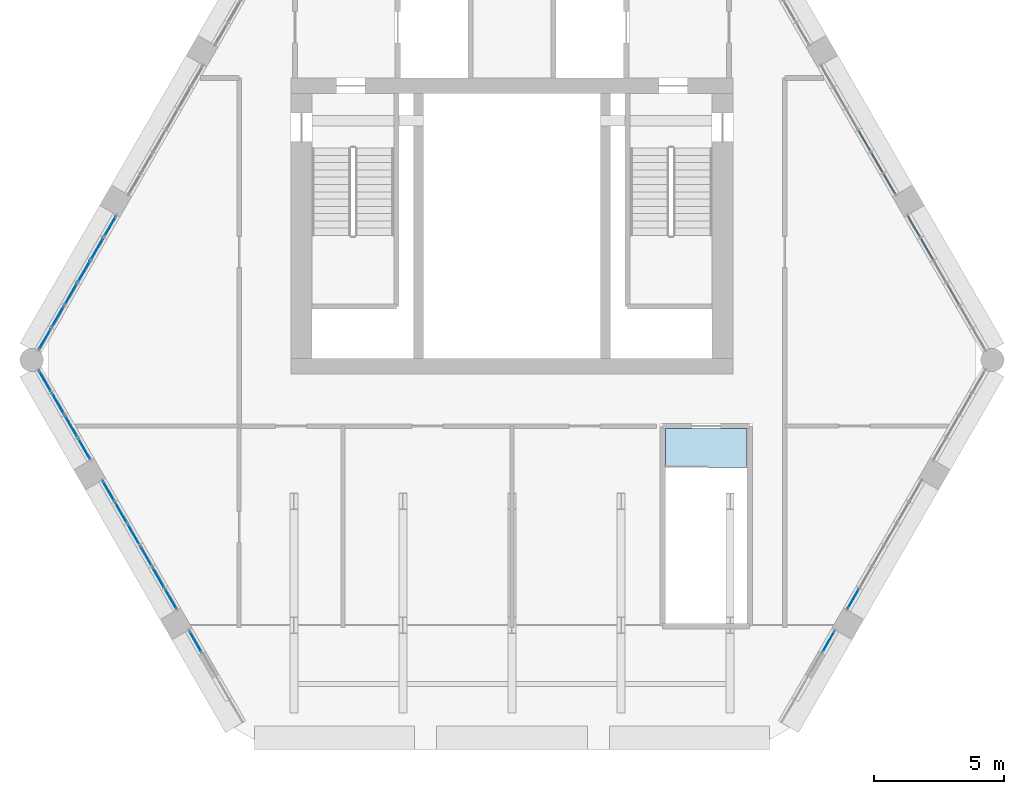
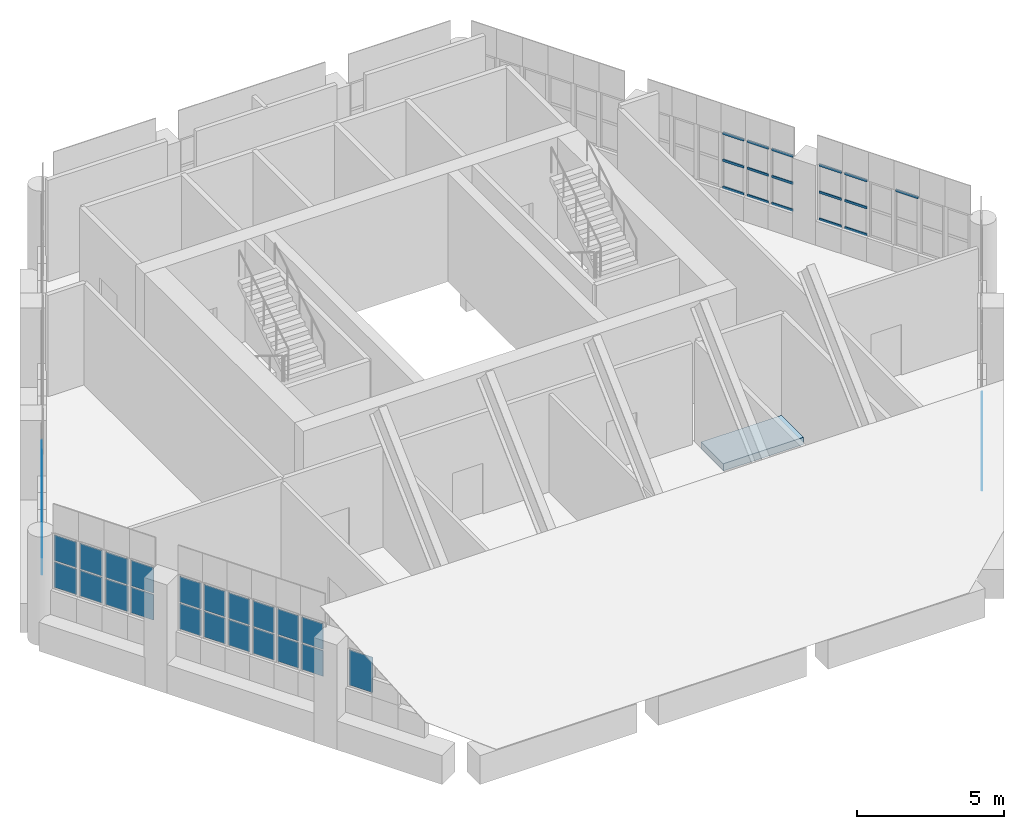
# One storey, part 17 of 25: 35 plates, 16 members, 1 slab, 25 elements without a shape of their own.
"""IFC4 building model written with IfcOpenShell, lengths in metres."""

from ifc_helpers import new_model, si_unit, direction, frame, origin, origin_2d, place, context, subcontext, project, spatial, polyline, rectangle, hollow_rectangle, outline, extrude, material, layer, layer_set, material_profile, profile_set, type_object, element, aggregate, save


model = new_model("IFC4")

# Units and contexts
model_context = context("Model", 3, precision=1e-05, world=origin(), true_north=direction((0.0, 1.0)))
body_context = subcontext(model_context, "Body", "Model", "MODEL_VIEW")
ifc_project = project(units=[si_unit("LENGTHUNIT", "METRE"), si_unit("AREAUNIT", "SQUARE_METRE"), si_unit("VOLUMEUNIT", "CUBIC_METRE"), si_unit("PLANEANGLEUNIT", "RADIAN"), si_unit("MASSUNIT", "GRAM", prefix="KILO")], contexts=[model_context])

# Site, building, storey
site_placement = place(None, origin())
site = spatial("IfcSite", under=ifc_project, at=site_placement, CompositionType="ELEMENT")
building_placement = place(site_placement, origin())
building = spatial("IfcBuilding", under=site, at=building_placement, Name="Ostrander Bayou Hotel Tower", CompositionType="ELEMENT")
storey_placement = place(building_placement, frame((0.0, 0.0, 275.0)))
storey = spatial("IfcBuildingStorey", under=building, at=storey_placement, Name="L68", CompositionType="ELEMENT", Elevation=275.0)

# Curtain wall, member
ifc_material_1 = material(Name="Aluminium and clear glass", Category="aluminium")
curtain_wall_type = type_object("IfcCurtainWallType", Name="CW-CROWN glazed wall", PredefinedType="NOTDEFINED", material=ifc_material_1)
curtain_wall_1_placement = place(storey_placement, origin())
curtain_wall_1 = element("IfcCurtainWall", 1, at=curtain_wall_1_placement, inside=storey, type_object=curtain_wall_type, Name="CW-CROWN L68:NE-1-3", PredefinedType="NOTDEFINED")
ifc_material_2 = material(Name="Aluminium", Category="aluminium")
ifc_material_profile = material_profile(ifc_material_2, hollow_rectangle(XDim=0.050048828125, YDim=0.10009765625, WallThickness=0.00390625, at=origin_2d()))
ifc_profile_set = profile_set([ifc_material_profile], Name="Aluminium")
member_type = type_object("IfcMemberType", Name="CW-CR transom 50 x 100 mm", PredefinedType="USERDEFINED", material=ifc_profile_set)
member_1_placement = place(storey_placement, frame((17.197021484375, 1.0009765625, 3.27001953125), z_axis=(-0.499945861543, 0.866056658381, 0.0), x_axis=(-0.866056658381, -0.499945861543, 0.0)))
member_1 = element("IfcMember", 2, at=member_1_placement, type_object=member_type, Name="CW-CROWN transom 1.3", ObjectType="TRANSOM", PredefinedType="USERDEFINED", context=body_context, shape_type="SweptSolid", body=[
    extrude(hollow_rectangle(XDim=0.050048828125, YDim=0.10009765625, WallThickness=0.00390625, at=origin_2d()), origin(), (0.0, 0.0, 1.0), 0.8828125),
])
aggregate(curtain_wall_1, [member_1])

# Curtain wall, members
curtain_wall_2_placement = place(storey_placement, origin())
curtain_wall_2 = element("IfcCurtainWall", 3, at=curtain_wall_2_placement, inside=storey, type_object=curtain_wall_type, Name="CW-CROWN L68:NE-1-5", PredefinedType="NOTDEFINED")
member_2_placement = place(storey_placement, frame((16.194091796875, 2.73828125, 1.030029296875), z_axis=(-0.500153222552, 0.865936922628, 0.0), x_axis=(-0.865936922628, -0.500153222552, 0.0)))
member_2 = element("IfcMember", 4, at=member_2_placement, type_object=member_type, Name="CW-CROWN transom 1.1", ObjectType="TRANSOM", PredefinedType="USERDEFINED", context=body_context, shape_type="SweptSolid", body=[
    extrude(hollow_rectangle(XDim=0.050048828125, YDim=0.10009765625, WallThickness=0.00390625, at=origin_2d()), origin(), (0.0, 0.0, 1.0), 0.883056640625),
])
member_3_placement = place(storey_placement, frame((16.194091796875, 2.73828125, 2.14990234375), z_axis=(-0.500153222552, 0.865936922628, 0.0), x_axis=(-0.865936922628, -0.500153222552, 0.0)))
member_3 = element("IfcMember", 5, at=member_3_placement, type_object=member_type, Name="CW-CROWN transom 1.2", ObjectType="TRANSOM", PredefinedType="USERDEFINED", context=body_context, shape_type="SweptSolid", body=[
    extrude(hollow_rectangle(XDim=0.050048828125, YDim=0.10009765625, WallThickness=0.00390625, at=origin_2d()), origin(), (0.0, 0.0, 1.0), 0.883056640625),
])
member_4_placement = place(storey_placement, frame((16.194091796875, 2.73828125, 3.27001953125), z_axis=(-0.500153222552, 0.865936922628, 0.0), x_axis=(-0.865936922628, -0.500153222552, 0.0)))
member_4 = element("IfcMember", 6, at=member_4_placement, type_object=member_type, Name="CW-CROWN transom 1.3", ObjectType="TRANSOM", PredefinedType="USERDEFINED", context=body_context, shape_type="SweptSolid", body=[
    extrude(hollow_rectangle(XDim=0.050048828125, YDim=0.10009765625, WallThickness=0.00390625, at=origin_2d()), origin(), (0.0, 0.0, 1.0), 0.883056640625),
])
aggregate(curtain_wall_2, [member_2, member_3, member_4])

curtain_wall_3_placement = place(storey_placement, origin())
curtain_wall_3 = element("IfcCurtainWall", 7, at=curtain_wall_3_placement, inside=storey, type_object=curtain_wall_type, Name="CW-CROWN L68:NE-1-6", PredefinedType="NOTDEFINED")
member_5_placement = place(storey_placement, frame((15.6923828125, 3.60693359375, 1.030029296875), z_axis=(-0.499826157957, 0.866125748273, 0.0), x_axis=(-0.866125748273, -0.499826157957, 0.0)))
member_5 = element("IfcMember", 8, at=member_5_placement, type_object=member_type, Name="CW-CROWN transom 1.1", ObjectType="TRANSOM", PredefinedType="USERDEFINED", context=body_context, shape_type="SweptSolid", body=[
    extrude(hollow_rectangle(XDim=0.050048828125, YDim=0.10009765625, WallThickness=0.00390625, at=origin_2d()), origin(), (0.0, 0.0, 1.0), 0.883056640625),
])
member_6_placement = place(storey_placement, frame((15.6923828125, 3.60693359375, 2.14990234375), z_axis=(-0.499826157957, 0.866125748273, 0.0), x_axis=(-0.866125748273, -0.499826157957, 0.0)))
member_6 = element("IfcMember", 9, at=member_6_placement, type_object=member_type, Name="CW-CROWN transom 1.2", ObjectType="TRANSOM", PredefinedType="USERDEFINED", context=body_context, shape_type="SweptSolid", body=[
    extrude(hollow_rectangle(XDim=0.050048828125, YDim=0.10009765625, WallThickness=0.00390625, at=origin_2d()), origin(), (0.0, 0.0, 1.0), 0.883056640625),
])
member_7_placement = place(storey_placement, frame((15.6923828125, 3.60693359375, 3.27001953125), z_axis=(-0.499826157957, 0.866125748273, 0.0), x_axis=(-0.866125748273, -0.499826157957, 0.0)))
member_7 = element("IfcMember", 10, at=member_7_placement, type_object=member_type, Name="CW-CROWN transom 1.3", ObjectType="TRANSOM", PredefinedType="USERDEFINED", context=body_context, shape_type="SweptSolid", body=[
    extrude(hollow_rectangle(XDim=0.050048828125, YDim=0.10009765625, WallThickness=0.00390625, at=origin_2d()), origin(), (0.0, 0.0, 1.0), 0.883056640625),
])
aggregate(curtain_wall_3, [member_5, member_6, member_7])

curtain_wall_4_placement = place(storey_placement, origin())
curtain_wall_4 = element("IfcCurtainWall", 11, at=curtain_wall_4_placement, inside=storey, type_object=curtain_wall_type, Name="CW-CROWN L68:NE-2-1", PredefinedType="NOTDEFINED")
member_8_placement = place(storey_placement, frame((14.740966796875, 5.255126953125, 1.030029296875), z_axis=(-0.500016035621, 0.866016145416, 0.0), x_axis=(-0.866016145416, -0.500016035621, 0.0)))
member_8 = element("IfcMember", 12, at=member_8_placement, type_object=member_type, Name="CW-CROWN transom 1.1", ObjectType="TRANSOM", PredefinedType="USERDEFINED", context=body_context, shape_type="SweptSolid", body=[
    extrude(hollow_rectangle(XDim=0.050048828125, YDim=0.10009765625, WallThickness=0.00390625, at=origin_2d()), origin(), (0.0, 0.0, 1.0), 0.83984375),
])
member_9_placement = place(storey_placement, frame((14.740966796875, 5.255126953125, 2.14990234375), z_axis=(-0.500016035621, 0.866016145416, 0.0), x_axis=(-0.866016145416, -0.500016035621, 0.0)))
member_9 = element("IfcMember", 13, at=member_9_placement, type_object=member_type, Name="CW-CROWN transom 1.2", ObjectType="TRANSOM", PredefinedType="USERDEFINED", context=body_context, shape_type="SweptSolid", body=[
    extrude(hollow_rectangle(XDim=0.050048828125, YDim=0.10009765625, WallThickness=0.00390625, at=origin_2d()), origin(), (0.0, 0.0, 1.0), 0.83984375),
])
member_10_placement = place(storey_placement, frame((14.740966796875, 5.255126953125, 3.27001953125), z_axis=(-0.500016035621, 0.866016145416, 0.0), x_axis=(-0.866016145416, -0.500016035621, 0.0)))
member_10 = element("IfcMember", 14, at=member_10_placement, type_object=member_type, Name="CW-CROWN transom 1.3", ObjectType="TRANSOM", PredefinedType="USERDEFINED", context=body_context, shape_type="SweptSolid", body=[
    extrude(hollow_rectangle(XDim=0.050048828125, YDim=0.10009765625, WallThickness=0.00390625, at=origin_2d()), origin(), (0.0, 0.0, 1.0), 0.83984375),
])
aggregate(curtain_wall_4, [member_8, member_9, member_10])

curtain_wall_5_placement = place(storey_placement, origin())
curtain_wall_5 = element("IfcCurtainWall", 15, at=curtain_wall_5_placement, inside=storey, type_object=curtain_wall_type, Name="CW-CROWN L68:NE-2-2", PredefinedType="NOTDEFINED")
member_11_placement = place(storey_placement, frame((14.260986328125, 6.086181640625, 1.030029296875), z_axis=(-0.500016035621, 0.866016145416, 0.0), x_axis=(-0.866016145416, -0.500016035621, 0.0)))
member_11 = element("IfcMember", 16, at=member_11_placement, type_object=member_type, Name="CW-CROWN transom 1.1", ObjectType="TRANSOM", PredefinedType="USERDEFINED", context=body_context, shape_type="SweptSolid", body=[
    extrude(hollow_rectangle(XDim=0.050048828125, YDim=0.10009765625, WallThickness=0.00390625, at=origin_2d()), origin(), (0.0, 0.0, 1.0), 0.83984375),
])
member_12_placement = place(storey_placement, frame((14.260986328125, 6.086181640625, 2.14990234375), z_axis=(-0.500016035621, 0.866016145416, 0.0), x_axis=(-0.866016145416, -0.500016035621, 0.0)))
member_12 = element("IfcMember", 17, at=member_12_placement, type_object=member_type, Name="CW-CROWN transom 1.2", ObjectType="TRANSOM", PredefinedType="USERDEFINED", context=body_context, shape_type="SweptSolid", body=[
    extrude(hollow_rectangle(XDim=0.050048828125, YDim=0.10009765625, WallThickness=0.00390625, at=origin_2d()), origin(), (0.0, 0.0, 1.0), 0.83984375),
])
member_13_placement = place(storey_placement, frame((14.260986328125, 6.086181640625, 3.27001953125), z_axis=(-0.500016035621, 0.866016145416, 0.0), x_axis=(-0.866016145416, -0.500016035621, 0.0)))
member_13 = element("IfcMember", 18, at=member_13_placement, type_object=member_type, Name="CW-CROWN transom 1.3", ObjectType="TRANSOM", PredefinedType="USERDEFINED", context=body_context, shape_type="SweptSolid", body=[
    extrude(hollow_rectangle(XDim=0.050048828125, YDim=0.10009765625, WallThickness=0.00390625, at=origin_2d()), origin(), (0.0, 0.0, 1.0), 0.83984375),
])
aggregate(curtain_wall_5, [member_11, member_12, member_13])

curtain_wall_6_placement = place(storey_placement, origin())
curtain_wall_6 = element("IfcCurtainWall", 19, at=curtain_wall_6_placement, inside=storey, type_object=curtain_wall_type, Name="CW-CROWN L68:NE-2-3", PredefinedType="NOTDEFINED")
member_14_placement = place(storey_placement, frame((13.781005859375, 6.91748046875, 1.030029296875), z_axis=(-0.500016035621, 0.866016145416, 0.0), x_axis=(-0.866016145416, -0.500016035621, 0.0)))
member_14 = element("IfcMember", 20, at=member_14_placement, type_object=member_type, Name="CW-CROWN transom 1.1", ObjectType="TRANSOM", PredefinedType="USERDEFINED", context=body_context, shape_type="SweptSolid", body=[
    extrude(hollow_rectangle(XDim=0.050048828125, YDim=0.10009765625, WallThickness=0.00390625, at=origin_2d()), origin(), (0.0, 0.0, 1.0), 0.83984375),
])
member_15_placement = place(storey_placement, frame((13.781005859375, 6.91748046875, 2.14990234375), z_axis=(-0.500016035621, 0.866016145416, 0.0), x_axis=(-0.866016145416, -0.500016035621, 0.0)))
member_15 = element("IfcMember", 21, at=member_15_placement, type_object=member_type, Name="CW-CROWN transom 1.2", ObjectType="TRANSOM", PredefinedType="USERDEFINED", context=body_context, shape_type="SweptSolid", body=[
    extrude(hollow_rectangle(XDim=0.050048828125, YDim=0.10009765625, WallThickness=0.00390625, at=origin_2d()), origin(), (0.0, 0.0, 1.0), 0.83984375),
])
member_16_placement = place(storey_placement, frame((13.781005859375, 6.91748046875, 3.27001953125), z_axis=(-0.500016035621, 0.866016145416, 0.0), x_axis=(-0.866016145416, -0.500016035621, 0.0)))
member_16 = element("IfcMember", 22, at=member_16_placement, type_object=member_type, Name="CW-CROWN transom 1.3", ObjectType="TRANSOM", PredefinedType="USERDEFINED", context=body_context, shape_type="SweptSolid", body=[
    extrude(hollow_rectangle(XDim=0.050048828125, YDim=0.10009765625, WallThickness=0.00390625, at=origin_2d()), origin(), (0.0, 0.0, 1.0), 0.83984375),
])
aggregate(curtain_wall_6, [member_14, member_15, member_16])

# Curtain wall, plate
curtain_wall_7_placement = place(storey_placement, origin())
curtain_wall_7 = element("IfcCurtainWall", 23, at=curtain_wall_7_placement, inside=storey, type_object=curtain_wall_type, Name="CW-CROWN L68:NW-3-1", PredefinedType="NOTDEFINED")
ifc_material_3 = material(Name="Clear laminated glass", Category="glass")
ifc_layer_1 = layer(ifc_material_3, 0.028076171875)
ifc_layer_set_1 = layer_set([ifc_layer_1], Name="CW-CR glazing panel 28 mm")
plate_type = type_object("IfcPlateType", Name="CW-CR glazing panel 28 mm", PredefinedType="CURTAIN_PANEL", material=ifc_layer_set_1)
plate_1_placement = place(storey_placement, frame((-15.4716796875, 3.9892578125, 1.06005859375), z_axis=(0.0, 0.0, 1.0), x_axis=(-0.499966966783, -0.866044474681, 0.0)))
plate_1 = element("IfcPlate", 24, at=plate_1_placement, type_object=plate_type, Name="CW-CROWN panel 1.1", PredefinedType="CURTAIN_PANEL", context=body_context, shape_type="SweptSolid", body=[
    extrude(rectangle(XDim=0.883056640625, YDim=0.028076171875, at=origin_2d()), origin(), (0.0, 0.0, 1.0), 1.06005859375),
])
aggregate(curtain_wall_7, [plate_1])

# Curtain wall, plates
curtain_wall_8_placement = place(storey_placement, origin())
curtain_wall_8 = element("IfcCurtainWall", 25, at=curtain_wall_8_placement, inside=storey, type_object=curtain_wall_type, Name="CW-CROWN L68:NW-3-2", PredefinedType="NOTDEFINED")
plate_2_placement = place(storey_placement, frame((-15.97314453125, 3.12060546875, 1.06005859375), z_axis=(0.0, 0.0, 1.0), x_axis=(-0.50004173523, -0.866001306597, 0.0)))
plate_2 = element("IfcPlate", 26, at=plate_2_placement, type_object=plate_type, Name="CW-CROWN panel 1.1", PredefinedType="CURTAIN_PANEL", context=body_context, shape_type="SweptSolid", body=[
    extrude(rectangle(XDim=0.883056640625, YDim=0.028076171875, at=origin_2d()), origin(), (0.0, 0.0, 1.0), 1.06005859375),
])
plate_3_placement = place(storey_placement, frame((-15.97314453125, 3.12060546875, 2.179931640625), z_axis=(0.0, 0.0, 1.0), x_axis=(-0.50004173523, -0.866001306597, 0.0)))
plate_3 = element("IfcPlate", 27, at=plate_3_placement, type_object=plate_type, Name="CW-CROWN panel 1.2", PredefinedType="CURTAIN_PANEL", context=body_context, shape_type="SweptSolid", body=[
    extrude(rectangle(XDim=0.883056640625, YDim=0.028076171875, at=origin_2d()), origin(), (0.0, 0.0, 1.0), 1.06005859375),
])
aggregate(curtain_wall_8, [plate_2, plate_3])

curtain_wall_9_placement = place(storey_placement, origin())
curtain_wall_9 = element("IfcCurtainWall", 28, at=curtain_wall_9_placement, inside=storey, type_object=curtain_wall_type, Name="CW-CROWN L68:NW-3-3", PredefinedType="NOTDEFINED")
plate_4_placement = place(storey_placement, frame((-16.474853515625, 2.251953125, 1.06005859375), z_axis=(0.0, 0.0, 1.0), x_axis=(-0.500010136897, -0.866019551165, 0.0)))
plate_4 = element("IfcPlate", 29, at=plate_4_placement, type_object=plate_type, Name="CW-CROWN panel 1.1", PredefinedType="CURTAIN_PANEL", context=body_context, shape_type="SweptSolid", body=[
    extrude(rectangle(XDim=0.883056640625, YDim=0.028076171875, at=origin_2d()), origin(), (0.0, 0.0, 1.0), 1.06005859375),
])
plate_5_placement = place(storey_placement, frame((-16.474853515625, 2.251953125, 2.179931640625), z_axis=(0.0, 0.0, 1.0), x_axis=(-0.500010136897, -0.866019551165, 0.0)))
plate_5 = element("IfcPlate", 30, at=plate_5_placement, type_object=plate_type, Name="CW-CROWN panel 1.2", PredefinedType="CURTAIN_PANEL", context=body_context, shape_type="SweptSolid", body=[
    extrude(rectangle(XDim=0.883056640625, YDim=0.028076171875, at=origin_2d()), origin(), (0.0, 0.0, 1.0), 1.06005859375),
])
aggregate(curtain_wall_9, [plate_4, plate_5])

curtain_wall_10_placement = place(storey_placement, origin())
curtain_wall_10 = element("IfcCurtainWall", 31, at=curtain_wall_10_placement, inside=storey, type_object=curtain_wall_type, Name="CW-CROWN L68:NW-3-4", PredefinedType="NOTDEFINED")
plate_6_placement = place(storey_placement, frame((-16.976318359375, 1.38330078125, 1.06005859375), z_axis=(0.0, 0.0, 1.0), x_axis=(-0.499966966783, -0.866044474681, 0.0)))
plate_6 = element("IfcPlate", 32, at=plate_6_placement, type_object=plate_type, Name="CW-CROWN panel 1.1", PredefinedType="CURTAIN_PANEL", context=body_context, shape_type="SweptSolid", body=[
    extrude(rectangle(XDim=0.883056640625, YDim=0.028076171875, at=origin_2d()), origin(), (0.0, 0.0, 1.0), 1.06005859375),
])
plate_7_placement = place(storey_placement, frame((-16.976318359375, 1.38330078125, 2.179931640625), z_axis=(0.0, 0.0, 1.0), x_axis=(-0.499966966783, -0.866044474681, 0.0)))
plate_7 = element("IfcPlate", 33, at=plate_7_placement, type_object=plate_type, Name="CW-CROWN panel 1.2", PredefinedType="CURTAIN_PANEL", context=body_context, shape_type="SweptSolid", body=[
    extrude(rectangle(XDim=0.883056640625, YDim=0.028076171875, at=origin_2d()), origin(), (0.0, 0.0, 1.0), 1.06005859375),
])
aggregate(curtain_wall_10, [plate_6, plate_7])

curtain_wall_11_placement = place(storey_placement, origin())
curtain_wall_11 = element("IfcCurtainWall", 34, at=curtain_wall_11_placement, inside=storey, type_object=curtain_wall_type, Name="CW-CROWN L68:NW-3-5", PredefinedType="NOTDEFINED")
plate_8_placement = place(storey_placement, frame((-17.477783203125, 0.5146484375, 1.06005859375), z_axis=(0.0, 0.0, 1.0), x_axis=(-0.499966966783, -0.866044474681, 0.0)))
plate_8 = element("IfcPlate", 35, at=plate_8_placement, type_object=plate_type, Name="CW-CROWN panel 1.1", PredefinedType="CURTAIN_PANEL", context=body_context, shape_type="SweptSolid", body=[
    extrude(rectangle(XDim=0.883056640625, YDim=0.028076171875, at=origin_2d()), origin(), (0.0, 0.0, 1.0), 1.06005859375),
])
plate_9_placement = place(storey_placement, frame((-17.477783203125, 0.5146484375, 2.179931640625), z_axis=(0.0, 0.0, 1.0), x_axis=(-0.499966966783, -0.866044474681, 0.0)))
plate_9 = element("IfcPlate", 36, at=plate_9_placement, type_object=plate_type, Name="CW-CROWN panel 1.2", PredefinedType="CURTAIN_PANEL", context=body_context, shape_type="SweptSolid", body=[
    extrude(rectangle(XDim=0.883056640625, YDim=0.028076171875, at=origin_2d()), origin(), (0.0, 0.0, 1.0), 1.06005859375),
])
aggregate(curtain_wall_11, [plate_8, plate_9])

curtain_wall_12_placement = place(storey_placement, origin())
curtain_wall_12 = element("IfcCurtainWall", 37, at=curtain_wall_12_placement, inside=storey, type_object=curtain_wall_type, Name="CW-CROWN L68:NW-3-6", PredefinedType="NOTDEFINED")
plate_10_placement = place(storey_placement, frame((-17.979248046875, -0.35400390625, 1.06005859375), z_axis=(0.0, 0.0, 1.0), x_axis=(-0.500084907485, -0.865976376875, 0.0)))
plate_10 = element("IfcPlate", 38, at=plate_10_placement, type_object=plate_type, Name="CW-CROWN panel 1.1", PredefinedType="CURTAIN_PANEL", context=body_context, shape_type="SweptSolid", body=[
    extrude(rectangle(XDim=0.883056640625, YDim=0.028076171875, at=origin_2d()), origin(), (0.0, 0.0, 1.0), 1.06005859375),
])
plate_11_placement = place(storey_placement, frame((-17.979248046875, -0.35400390625, 2.179931640625), z_axis=(0.0, 0.0, 1.0), x_axis=(-0.500084907485, -0.865976376875, 0.0)))
plate_11 = element("IfcPlate", 39, at=plate_11_placement, type_object=plate_type, Name="CW-CROWN panel 1.2", PredefinedType="CURTAIN_PANEL", context=body_context, shape_type="SweptSolid", body=[
    extrude(rectangle(XDim=0.883056640625, YDim=0.028076171875, at=origin_2d()), origin(), (0.0, 0.0, 1.0), 1.06005859375),
])
aggregate(curtain_wall_12, [plate_10, plate_11])

curtain_wall_13_placement = place(storey_placement, origin())
curtain_wall_13 = element("IfcCurtainWall", 40, at=curtain_wall_13_placement, inside=storey, type_object=curtain_wall_type, Name="CW-CROWN L68:SW-1-1", PredefinedType="NOTDEFINED")
plate_12_placement = place(storey_placement, frame((-17.97900390625, -1.959228515625, 1.06005859375), z_axis=(0.0, 0.0, 1.0), x_axis=(0.499963896343, -0.866046247237, 0.0)))
plate_12 = element("IfcPlate", 41, at=plate_12_placement, type_object=plate_type, Name="CW-CROWN panel 1.1", PredefinedType="CURTAIN_PANEL", context=body_context, shape_type="SweptSolid", body=[
    extrude(rectangle(XDim=0.8837890625, YDim=0.028076171875, at=origin_2d()), origin(), (0.0, 0.0, 1.0), 1.06005859375),
])
plate_13_placement = place(storey_placement, frame((-17.97900390625, -1.959228515625, 2.179931640625), z_axis=(0.0, 0.0, 1.0), x_axis=(0.499963896343, -0.866046247237, 0.0)))
plate_13 = element("IfcPlate", 42, at=plate_13_placement, type_object=plate_type, Name="CW-CROWN panel 1.2", PredefinedType="CURTAIN_PANEL", context=body_context, shape_type="SweptSolid", body=[
    extrude(rectangle(XDim=0.8837890625, YDim=0.028076171875, at=origin_2d()), origin(), (0.0, 0.0, 1.0), 1.06005859375),
])
aggregate(curtain_wall_13, [plate_12, plate_13])

curtain_wall_14_placement = place(storey_placement, origin())
curtain_wall_14 = element("IfcCurtainWall", 43, at=curtain_wall_14_placement, inside=storey, type_object=curtain_wall_type, Name="CW-CROWN L68:SW-1-2", PredefinedType="NOTDEFINED")
plate_14_placement = place(storey_placement, frame((-17.47705078125, -2.82861328125, 1.06005859375), z_axis=(0.0, 0.0, 1.0), x_axis=(0.500007031615, -0.866021344042, 0.0)))
plate_14 = element("IfcPlate", 44, at=plate_14_placement, type_object=plate_type, Name="CW-CROWN panel 1.1", PredefinedType="CURTAIN_PANEL", context=body_context, shape_type="SweptSolid", body=[
    extrude(rectangle(XDim=0.8837890625, YDim=0.028076171875, at=origin_2d()), origin(), (0.0, 0.0, 1.0), 1.06005859375),
])
plate_15_placement = place(storey_placement, frame((-17.47705078125, -2.82861328125, 2.179931640625), z_axis=(0.0, 0.0, 1.0), x_axis=(0.500007031615, -0.866021344042, 0.0)))
plate_15 = element("IfcPlate", 45, at=plate_15_placement, type_object=plate_type, Name="CW-CROWN panel 1.2", PredefinedType="CURTAIN_PANEL", context=body_context, shape_type="SweptSolid", body=[
    extrude(rectangle(XDim=0.8837890625, YDim=0.028076171875, at=origin_2d()), origin(), (0.0, 0.0, 1.0), 1.06005859375),
])
aggregate(curtain_wall_14, [plate_14, plate_15])

curtain_wall_15_placement = place(storey_placement, origin())
curtain_wall_15 = element("IfcCurtainWall", 46, at=curtain_wall_15_placement, inside=storey, type_object=curtain_wall_type, Name="CW-CROWN L68:SW-1-3", PredefinedType="NOTDEFINED")
plate_16_placement = place(storey_placement, frame((-16.975341796875, -3.697998046875, 1.06005859375), z_axis=(0.0, 0.0, 1.0), x_axis=(0.499963896343, -0.866046247237, 0.0)))
plate_16 = element("IfcPlate", 47, at=plate_16_placement, type_object=plate_type, Name="CW-CROWN panel 1.1", PredefinedType="CURTAIN_PANEL", context=body_context, shape_type="SweptSolid", body=[
    extrude(rectangle(XDim=0.8837890625, YDim=0.028076171875, at=origin_2d()), origin(), (0.0, 0.0, 1.0), 1.06005859375),
])
plate_17_placement = place(storey_placement, frame((-16.975341796875, -3.697998046875, 2.179931640625), z_axis=(0.0, 0.0, 1.0), x_axis=(0.499963896343, -0.866046247237, 0.0)))
plate_17 = element("IfcPlate", 48, at=plate_17_placement, type_object=plate_type, Name="CW-CROWN panel 1.2", PredefinedType="CURTAIN_PANEL", context=body_context, shape_type="SweptSolid", body=[
    extrude(rectangle(XDim=0.8837890625, YDim=0.028076171875, at=origin_2d()), origin(), (0.0, 0.0, 1.0), 1.06005859375),
])
aggregate(curtain_wall_15, [plate_16, plate_17])

curtain_wall_16_placement = place(storey_placement, origin())
curtain_wall_16 = element("IfcCurtainWall", 49, at=curtain_wall_16_placement, inside=storey, type_object=curtain_wall_type, Name="CW-CROWN L68:SW-1-4", PredefinedType="NOTDEFINED")
plate_18_placement = place(storey_placement, frame((-16.473388671875, -4.5673828125, 1.06005859375), z_axis=(0.0, 0.0, 1.0), x_axis=(0.500007031615, -0.866021344042, 0.0)))
plate_18 = element("IfcPlate", 50, at=plate_18_placement, type_object=plate_type, Name="CW-CROWN panel 1.1", PredefinedType="CURTAIN_PANEL", context=body_context, shape_type="SweptSolid", body=[
    extrude(rectangle(XDim=0.8837890625, YDim=0.028076171875, at=origin_2d()), origin(), (0.0, 0.0, 1.0), 1.06005859375),
])
plate_19_placement = place(storey_placement, frame((-16.473388671875, -4.5673828125, 2.179931640625), z_axis=(0.0, 0.0, 1.0), x_axis=(0.500007031615, -0.866021344042, 0.0)))
plate_19 = element("IfcPlate", 51, at=plate_19_placement, type_object=plate_type, Name="CW-CROWN panel 1.2", PredefinedType="CURTAIN_PANEL", context=body_context, shape_type="SweptSolid", body=[
    extrude(rectangle(XDim=0.8837890625, YDim=0.028076171875, at=origin_2d()), origin(), (0.0, 0.0, 1.0), 1.06005859375),
])
aggregate(curtain_wall_16, [plate_18, plate_19])

curtain_wall_17_placement = place(storey_placement, origin())
curtain_wall_17 = element("IfcCurtainWall", 52, at=curtain_wall_17_placement, inside=storey, type_object=curtain_wall_type, Name="CW-CROWN L68:SW-2-1", PredefinedType="NOTDEFINED")
plate_20_placement = place(storey_placement, frame((-15.532470703125, -6.197021484375, 1.06005859375), z_axis=(0.0, 0.0, 1.0), x_axis=(0.500005045044, -0.866022491007, 0.0)))
plate_20 = element("IfcPlate", 53, at=plate_20_placement, type_object=plate_type, Name="CW-CROWN panel 1.1", PredefinedType="CURTAIN_PANEL", context=body_context, shape_type="SweptSolid", body=[
    extrude(rectangle(XDim=0.83984375, YDim=0.028076171875, at=origin_2d()), origin(), (0.0, 0.0, 1.0), 1.06005859375),
])
plate_21_placement = place(storey_placement, frame((-15.532470703125, -6.197021484375, 2.179931640625), z_axis=(0.0, 0.0, 1.0), x_axis=(0.500005045044, -0.866022491007, 0.0)))
plate_21 = element("IfcPlate", 54, at=plate_21_placement, type_object=plate_type, Name="CW-CROWN panel 1.2", PredefinedType="CURTAIN_PANEL", context=body_context, shape_type="SweptSolid", body=[
    extrude(rectangle(XDim=0.83984375, YDim=0.028076171875, at=origin_2d()), origin(), (0.0, 0.0, 1.0), 1.06005859375),
])
aggregate(curtain_wall_17, [plate_20, plate_21])

curtain_wall_18_placement = place(storey_placement, origin())
curtain_wall_18 = element("IfcCurtainWall", 55, at=curtain_wall_18_placement, inside=storey, type_object=curtain_wall_type, Name="CW-CROWN L68:SW-2-2", PredefinedType="NOTDEFINED")
plate_22_placement = place(storey_placement, frame((-15.052490234375, -7.0283203125, 1.06005859375), z_axis=(0.0, 0.0, 1.0), x_axis=(0.500005045044, -0.866022491007, 0.0)))
plate_22 = element("IfcPlate", 56, at=plate_22_placement, type_object=plate_type, Name="CW-CROWN panel 1.1", PredefinedType="CURTAIN_PANEL", context=body_context, shape_type="SweptSolid", body=[
    extrude(rectangle(XDim=0.83984375, YDim=0.028076171875, at=origin_2d()), origin(), (0.0, 0.0, 1.0), 1.06005859375),
])
plate_23_placement = place(storey_placement, frame((-15.052490234375, -7.0283203125, 2.179931640625), z_axis=(0.0, 0.0, 1.0), x_axis=(0.500005045044, -0.866022491007, 0.0)))
plate_23 = element("IfcPlate", 57, at=plate_23_placement, type_object=plate_type, Name="CW-CROWN panel 1.2", PredefinedType="CURTAIN_PANEL", context=body_context, shape_type="SweptSolid", body=[
    extrude(rectangle(XDim=0.83984375, YDim=0.028076171875, at=origin_2d()), origin(), (0.0, 0.0, 1.0), 1.06005859375),
])
aggregate(curtain_wall_18, [plate_22, plate_23])

curtain_wall_19_placement = place(storey_placement, origin())
curtain_wall_19 = element("IfcCurtainWall", 58, at=curtain_wall_19_placement, inside=storey, type_object=curtain_wall_type, Name="CW-CROWN L68:SW-2-3", PredefinedType="NOTDEFINED")
plate_24_placement = place(storey_placement, frame((-14.57275390625, -7.859375, 1.06005859375), z_axis=(0.0, 0.0, 1.0), x_axis=(0.500005045044, -0.866022491007, 0.0)))
plate_24 = element("IfcPlate", 59, at=plate_24_placement, type_object=plate_type, Name="CW-CROWN panel 1.1", PredefinedType="CURTAIN_PANEL", context=body_context, shape_type="SweptSolid", body=[
    extrude(rectangle(XDim=0.83984375, YDim=0.028076171875, at=origin_2d()), origin(), (0.0, 0.0, 1.0), 1.06005859375),
])
plate_25_placement = place(storey_placement, frame((-14.57275390625, -7.859375, 2.179931640625), z_axis=(0.0, 0.0, 1.0), x_axis=(0.500005045044, -0.866022491007, 0.0)))
plate_25 = element("IfcPlate", 60, at=plate_25_placement, type_object=plate_type, Name="CW-CROWN panel 1.2", PredefinedType="CURTAIN_PANEL", context=body_context, shape_type="SweptSolid", body=[
    extrude(rectangle(XDim=0.83984375, YDim=0.028076171875, at=origin_2d()), origin(), (0.0, 0.0, 1.0), 1.06005859375),
])
aggregate(curtain_wall_19, [plate_24, plate_25])

curtain_wall_20_placement = place(storey_placement, origin())
curtain_wall_20 = element("IfcCurtainWall", 61, at=curtain_wall_20_placement, inside=storey, type_object=curtain_wall_type, Name="CW-CROWN L68:SW-2-4", PredefinedType="NOTDEFINED")
plate_26_placement = place(storey_placement, frame((-14.0927734375, -8.690673828125, 1.06005859375), z_axis=(0.0, 0.0, 1.0), x_axis=(0.500005045044, -0.866022491007, 0.0)))
plate_26 = element("IfcPlate", 62, at=plate_26_placement, type_object=plate_type, Name="CW-CROWN panel 1.1", PredefinedType="CURTAIN_PANEL", context=body_context, shape_type="SweptSolid", body=[
    extrude(rectangle(XDim=0.83984375, YDim=0.028076171875, at=origin_2d()), origin(), (0.0, 0.0, 1.0), 1.06005859375),
])
plate_27_placement = place(storey_placement, frame((-14.0927734375, -8.690673828125, 2.179931640625), z_axis=(0.0, 0.0, 1.0), x_axis=(0.500005045044, -0.866022491007, 0.0)))
plate_27 = element("IfcPlate", 63, at=plate_27_placement, type_object=plate_type, Name="CW-CROWN panel 1.2", PredefinedType="CURTAIN_PANEL", context=body_context, shape_type="SweptSolid", body=[
    extrude(rectangle(XDim=0.83984375, YDim=0.028076171875, at=origin_2d()), origin(), (0.0, 0.0, 1.0), 1.06005859375),
])
aggregate(curtain_wall_20, [plate_26, plate_27])

curtain_wall_21_placement = place(storey_placement, origin())
curtain_wall_21 = element("IfcCurtainWall", 64, at=curtain_wall_21_placement, inside=storey, type_object=curtain_wall_type, Name="CW-CROWN L68:SW-2-5", PredefinedType="NOTDEFINED")
plate_28_placement = place(storey_placement, frame((-13.61279296875, -9.521728515625, 1.06005859375), z_axis=(0.0, 0.0, 1.0), x_axis=(0.500005045044, -0.866022491007, 0.0)))
plate_28 = element("IfcPlate", 65, at=plate_28_placement, type_object=plate_type, Name="CW-CROWN panel 1.1", PredefinedType="CURTAIN_PANEL", context=body_context, shape_type="SweptSolid", body=[
    extrude(rectangle(XDim=0.83984375, YDim=0.028076171875, at=origin_2d()), origin(), (0.0, 0.0, 1.0), 1.06005859375),
])
plate_29_placement = place(storey_placement, frame((-13.61279296875, -9.521728515625, 2.179931640625), z_axis=(0.0, 0.0, 1.0), x_axis=(0.500005045044, -0.866022491007, 0.0)))
plate_29 = element("IfcPlate", 66, at=plate_29_placement, type_object=plate_type, Name="CW-CROWN panel 1.2", PredefinedType="CURTAIN_PANEL", context=body_context, shape_type="SweptSolid", body=[
    extrude(rectangle(XDim=0.83984375, YDim=0.028076171875, at=origin_2d()), origin(), (0.0, 0.0, 1.0), 1.06005859375),
])
aggregate(curtain_wall_21, [plate_28, plate_29])

curtain_wall_22_placement = place(storey_placement, origin())
curtain_wall_22 = element("IfcCurtainWall", 67, at=curtain_wall_22_placement, inside=storey, type_object=curtain_wall_type, Name="CW-CROWN L68:SW-2-6", PredefinedType="NOTDEFINED")
plate_30_placement = place(storey_placement, frame((-13.133056640625, -10.35302734375, 1.06005859375), z_axis=(0.0, 0.0, 1.0), x_axis=(0.500005045044, -0.866022491007, 0.0)))
plate_30 = element("IfcPlate", 68, at=plate_30_placement, type_object=plate_type, Name="CW-CROWN panel 1.1", PredefinedType="CURTAIN_PANEL", context=body_context, shape_type="SweptSolid", body=[
    extrude(rectangle(XDim=0.83984375, YDim=0.028076171875, at=origin_2d()), origin(), (0.0, 0.0, 1.0), 1.06005859375),
])
plate_31_placement = place(storey_placement, frame((-13.133056640625, -10.35302734375, 2.179931640625), z_axis=(0.0, 0.0, 1.0), x_axis=(0.500005045044, -0.866022491007, 0.0)))
plate_31 = element("IfcPlate", 69, at=plate_31_placement, type_object=plate_type, Name="CW-CROWN panel 1.2", PredefinedType="CURTAIN_PANEL", context=body_context, shape_type="SweptSolid", body=[
    extrude(rectangle(XDim=0.83984375, YDim=0.028076171875, at=origin_2d()), origin(), (0.0, 0.0, 1.0), 1.06005859375),
])
aggregate(curtain_wall_22, [plate_30, plate_31])

# Curtain wall, plate
curtain_wall_23_placement = place(storey_placement, origin())
curtain_wall_23 = element("IfcCurtainWall", 70, at=curtain_wall_23_placement, inside=storey, type_object=curtain_wall_type, Name="CW-CROWN L68:SW-3-1", PredefinedType="NOTDEFINED")
plate_32_placement = place(storey_placement, frame((-12.18505859375, -11.99462890625, 1.06005859375), z_axis=(0.0, 0.0, 1.0), x_axis=(0.499996560821, -0.866027389386, 0.0)))
plate_32 = element("IfcPlate", 71, at=plate_32_placement, type_object=plate_type, Name="CW-CROWN panel 1.1", PredefinedType="CURTAIN_PANEL", context=body_context, shape_type="SweptSolid", body=[
    extrude(rectangle(XDim=0.91162109375, YDim=0.028076171875, at=origin_2d()), origin(), (0.0, 0.0, 1.0), 1.467041015625),
])
aggregate(curtain_wall_23, [plate_32])

curtain_wall_24_placement = place(storey_placement, origin())
curtain_wall_24 = element("IfcCurtainWall", 72, at=curtain_wall_24_placement, inside=storey, type_object=curtain_wall_type, Name="CW-CROWN L68:SE-1-4", PredefinedType="NOTDEFINED")
plate_33_placement = place(storey_placement, frame((12.18505859375, -11.99462890625, 1.06005859375), z_axis=(0.0, 0.0, 1.0), x_axis=(0.499996560821, 0.866027389386, 0.0)))
plate_33 = element("IfcPlate", 73, at=plate_33_placement, type_object=plate_type, Name="CW-CROWN panel 1.1", PredefinedType="CURTAIN_PANEL", context=body_context, shape_type="SweptSolid", body=[
    extrude(rectangle(XDim=0.91162109375, YDim=0.028076171875, at=origin_2d()), origin(), (0.0, 0.0, 1.0), 1.467041015625),
])
aggregate(curtain_wall_24, [plate_33])

# Curtain wall, plates
curtain_wall_25_placement = place(storey_placement, origin())
curtain_wall_25 = element("IfcCurtainWall", 74, at=curtain_wall_25_placement, inside=storey, type_object=curtain_wall_type, Name="CW-CROWN L68:SE-2-1", PredefinedType="NOTDEFINED")
plate_34_placement = place(storey_placement, frame((13.133056640625, -10.35302734375, 1.06005859375), z_axis=(0.0, 0.0, 1.0), x_axis=(0.500005045044, 0.866022491007, 0.0)))
plate_34 = element("IfcPlate", 75, at=plate_34_placement, type_object=plate_type, Name="CW-CROWN panel 1.1", PredefinedType="CURTAIN_PANEL", context=body_context, shape_type="SweptSolid", body=[
    extrude(rectangle(XDim=0.83984375, YDim=0.028076171875, at=origin_2d()), origin(), (0.0, 0.0, 1.0), 1.06005859375),
])
plate_35_placement = place(storey_placement, frame((13.133056640625, -10.35302734375, 2.179931640625), z_axis=(0.0, 0.0, 1.0), x_axis=(0.500005045044, 0.866022491007, 0.0)))
plate_35 = element("IfcPlate", 76, at=plate_35_placement, type_object=plate_type, Name="CW-CROWN panel 1.2", PredefinedType="CURTAIN_PANEL", context=body_context, shape_type="SweptSolid", body=[
    extrude(rectangle(XDim=0.83984375, YDim=0.028076171875, at=origin_2d()), origin(), (0.0, 0.0, 1.0), 1.06005859375),
])
aggregate(curtain_wall_25, [plate_34, plate_35])

# Slab
ifc_material_4 = material(Name="Concrete f'c 40 MPa", Category="concrete")
ifc_layer_2 = layer(ifc_material_4, 0.300048828125)
ifc_layer_set_2 = layer_set([ifc_layer_2], Name="SL1 floor slab 300 mm f'c 40 MPa")
slab_type = type_object("IfcSlabType", Name="SL1 floor slab 300 mm f'c 40 MPa", PredefinedType="FLOOR", material=ifc_layer_set_2)
slab_placement = place(storey_placement, frame((0.0, 0.0, -0.300048828125)))
element("IfcSlab", 77, at=slab_placement, inside=storey, type_object=slab_type, Name="cslab:L68:003", PredefinedType="FLOOR", context=body_context, shape_type="SweptSolid", body=[
    extrude(outline(polyline([(9.050048828125, -5.300048828125), (9.050048828125, -3.800048828125), (5.89990234375, -3.800048828125), (5.89990234375, -5.300048828125), (9.050048828125, -5.300048828125)])), origin(), (0.0, 0.0, 1.0), 0.300048828125),
])

save(model, "model.ifc")
